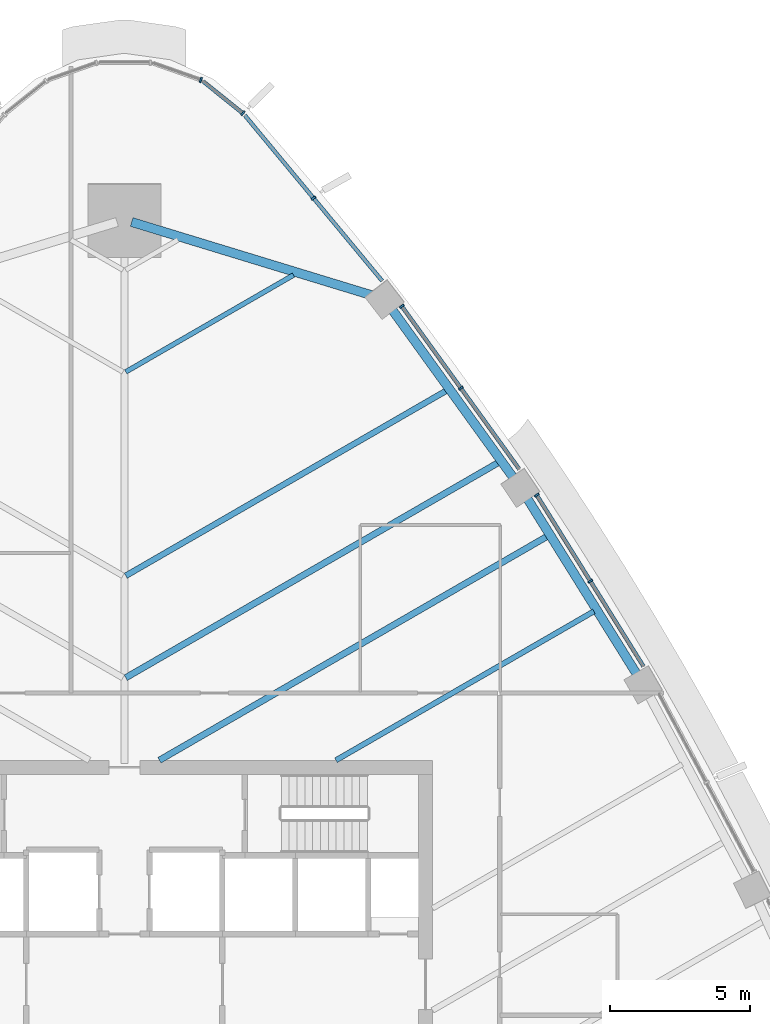
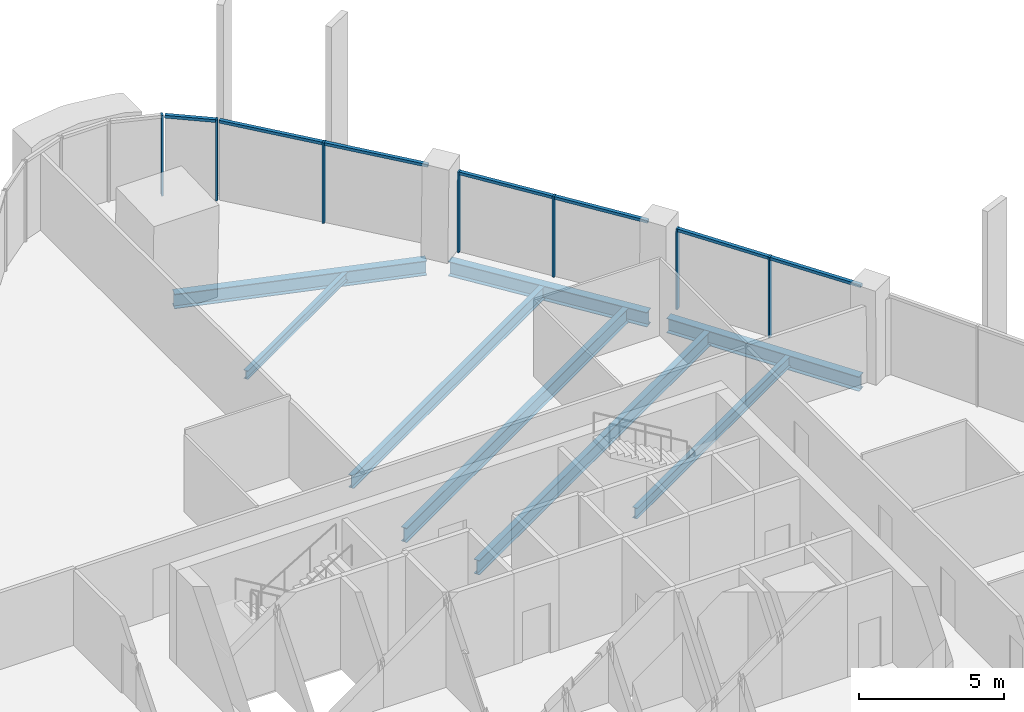
# One storey, part 7 of 19: 14 members, 8 beams, 5 elements without a shape of their own.
"""IFC4 building model written with IfcOpenShell, lengths in metres."""

from ifc_helpers import new_model, si_unit, direction, frame, origin, origin_2d, place, context, subcontext, project, spatial, rectangle, i_section, extrude, material, layer, layer_set, material_profile, profile_set, type_object, element, aggregate, save


model = new_model("IFC4")

# Units and contexts
model_context = context("Model", 3, precision=1e-05, world=origin(), true_north=direction((0.0, 1.0)))
body_context = subcontext(model_context, "Body", "Model", "MODEL_VIEW")
ifc_project = project(units=[si_unit("LENGTHUNIT", "METRE"), si_unit("AREAUNIT", "SQUARE_METRE"), si_unit("VOLUMEUNIT", "CUBIC_METRE"), si_unit("PLANEANGLEUNIT", "RADIAN"), si_unit("MASSUNIT", "GRAM", prefix="KILO")], contexts=[model_context])

# Site, building, storey
site_placement = place(None, origin())
site = spatial("IfcSite", under=ifc_project, at=site_placement, CompositionType="ELEMENT")
building_placement = place(site_placement, origin())
building = spatial("IfcBuilding", under=site, at=building_placement, Name="Sierra Prisma Convention Tower", CompositionType="ELEMENT")
storey_placement = place(building_placement, frame((0.0, 0.0, 177.800048828125)))
storey = spatial("IfcBuildingStorey", under=building, at=storey_placement, Name="L39", CompositionType="ELEMENT", Elevation=177.800048828125)

# Curtain wall, members
ifc_material_1 = material(Name="Aluminium and glass curtain wall", Category="aluminium")
ifc_layer = layer(ifc_material_1, 0.179931640625)
ifc_layer_set = layer_set([ifc_layer], Name="CW-1 Plain shaft curtain wall")
curtain_wall_type = type_object("IfcCurtainWallType", Name="CW-1 Plain shaft curtain wall", PredefinedType="NOTDEFINED", material=ifc_layer_set)
curtain_wall_1_placement = place(storey_placement, origin())
curtain_wall_1 = element("IfcCurtainWall", 1, at=curtain_wall_1_placement, inside=storey, type_object=curtain_wall_type, Name="CW-1 NE4 L39", PredefinedType="NOTDEFINED")
ifc_material_2 = material(Name="Aluminium 6063-T6 bronze anodised", Category="aluminium")
ifc_material_profile_1 = material_profile(ifc_material_2, rectangle(XDim=0.179931640625, YDim=0.070068359375, at=origin_2d()), Name="ALU MULLION 70x180")
ifc_profile_set_1 = profile_set([ifc_material_profile_1], Name="Aluminium 6063-T6 bronze anodised")
member_type_1 = type_object("IfcMemberType", Name="CW mullion bronze", PredefinedType="MULLION", material=ifc_profile_set_1)
member_1_placement = place(storey_placement, frame((16.632568359375, 14.39404296875, 0.0), z_axis=(0.0, 0.0, 1.0), x_axis=(-0.84864864254, -0.528956975108, 0.0)))
member_1 = element("IfcMember", 2, at=member_1_placement, type_object=member_type_1, Name="CW-1 mullion NE4.2", PredefinedType="MULLION", context=body_context, shape_type="SweptSolid", body=[
    extrude(rectangle(XDim=0.179931640625, YDim=0.070068359375, at=origin_2d()), origin(), (0.0, 0.0, 1.0), 3.39990234375),
])
member_2_placement = place(storey_placement, frame((14.719482421875, 17.463134765625, 0.0), z_axis=(0.0, 0.0, 1.0), x_axis=(-0.84864864254, -0.528956975108, 0.0)))
member_2 = element("IfcMember", 3, at=member_2_placement, type_object=member_type_1, Name="CW-1 mullion NE4.3", PredefinedType="MULLION", context=body_context, shape_type="SweptSolid", body=[
    extrude(rectangle(XDim=0.179931640625, YDim=0.070068359375, at=origin_2d()), origin(), (0.0, 0.0, 1.0), 3.39990234375),
])

curtain_wall_2_placement = place(storey_placement, origin())
curtain_wall_2 = element("IfcCurtainWall", 4, at=curtain_wall_2_placement, inside=storey, type_object=curtain_wall_type, Name="CW-1 NE5 L39", PredefinedType="NOTDEFINED")
member_3_placement = place(storey_placement, frame((12.01025390625, 21.2822265625, 0.0), z_axis=(0.0, 0.0, 1.0), x_axis=(-0.811012496314, -0.585028829053, 0.0)))
member_3 = element("IfcMember", 5, at=member_3_placement, type_object=member_type_1, Name="CW-1 mullion NE5.2", PredefinedType="MULLION", context=body_context, shape_type="SweptSolid", body=[
    extrude(rectangle(XDim=0.179931640625, YDim=0.070068359375, at=origin_2d()), origin(), (0.0, 0.0, 1.0), 3.39990234375),
])
member_4_placement = place(storey_placement, frame((9.9033203125, 24.203125, 0.0), z_axis=(0.0, 0.0, 1.0), x_axis=(-0.811012496314, -0.585028829053, 0.0)))
member_4 = element("IfcMember", 6, at=member_4_placement, type_object=member_type_1, Name="CW-1 mullion NE5.3", PredefinedType="MULLION", context=body_context, shape_type="SweptSolid", body=[
    extrude(rectangle(XDim=0.179931640625, YDim=0.070068359375, at=origin_2d()), origin(), (0.0, 0.0, 1.0), 3.39990234375),
])

# Curtain wall, member
curtain_wall_3_placement = place(storey_placement, origin())
curtain_wall_3 = element("IfcCurtainWall", 7, at=curtain_wall_3_placement, inside=storey, type_object=curtain_wall_type, Name="CW-1 NE6 L39", PredefinedType="NOTDEFINED")
member_5_placement = place(storey_placement, frame((6.751220703125, 28.064208984375, 0.0), z_axis=(0.0, 0.0, 1.0), x_axis=(-0.769677701385, -0.638432640136, 0.0)))
member_5 = element("IfcMember", 8, at=member_5_placement, type_object=member_type_1, Name="CW-1 mullion NE6.2", PredefinedType="MULLION", context=body_context, shape_type="SweptSolid", body=[
    extrude(rectangle(XDim=0.179931640625, YDim=0.070068359375, at=origin_2d()), origin(), (0.0, 0.0, 1.0), 3.39990234375),
])

curtain_wall_4_placement = place(storey_placement, origin())
curtain_wall_4 = element("IfcCurtainWall", 9, at=curtain_wall_4_placement, inside=storey, type_object=curtain_wall_type, Name="CW-1 N1 L39", PredefinedType="NOTDEFINED")
member_6_placement = place(storey_placement, frame((4.229248046875, 31.09375, 0.0), z_axis=(0.0, 0.0, 1.0), x_axis=(-0.625405514252, -0.780299905641, 0.0)))
member_6 = element("IfcMember", 10, at=member_6_placement, type_object=member_type_1, Name="CW-1 mullion N1.1", PredefinedType="MULLION", context=body_context, shape_type="SweptSolid", body=[
    extrude(rectangle(XDim=0.179931640625, YDim=0.070068359375, at=origin_2d()), origin(), (0.0, 0.0, 1.0), 3.39990234375),
])

curtain_wall_5_placement = place(storey_placement, origin())
curtain_wall_5 = element("IfcCurtainWall", 11, at=curtain_wall_5_placement, inside=storey, type_object=curtain_wall_type, Name="CW-1 N2 L39", PredefinedType="NOTDEFINED")
member_7_placement = place(storey_placement, frame((2.72998046875, 32.280517578125, 0.0), z_axis=(0.0, 0.0, 1.0), x_axis=(-0.331436339558, -0.943477584694, 0.0)))
member_7 = element("IfcMember", 12, at=member_7_placement, type_object=member_type_1, Name="CW-1 mullion N2.1", PredefinedType="MULLION", context=body_context, shape_type="SweptSolid", body=[
    extrude(rectangle(XDim=0.179931640625, YDim=0.070068359375, at=origin_2d()), origin(), (0.0, 0.0, 1.0), 3.39990234375),
])
aggregate(curtain_wall_5, [member_7])

# Member
ifc_material_3 = material(Name="Aluminium 6063-T6 bronze anodised", Category="aluminium")
ifc_material_profile_2 = material_profile(ifc_material_3, rectangle(XDim=0.139892578125, YDim=0.1201171875, at=origin_2d()), Name="ALU TRANSOM 120x140")
ifc_profile_set_2 = profile_set([ifc_material_profile_2], Name="Aluminium 6063-T6 bronze anodised")
member_type_2 = type_object("IfcMemberType", Name="CW transom bronze", PredefinedType="USERDEFINED", material=ifc_profile_set_2)
member_8_placement = place(storey_placement, frame((18.527099609375, 11.3544921875, 3.33984375), z_axis=(-0.528958995283, 0.848647383375, 0.0), x_axis=(-0.848647383375, -0.528958995283, 0.0)))
member_8 = element("IfcMember", 13, at=member_8_placement, type_object=member_type_2, Name="CW-1 transom NE4.1", ObjectType="TRANSOM", PredefinedType="USERDEFINED", context=body_context, shape_type="SweptSolid", body=[
    extrude(rectangle(XDim=0.139892578125, YDim=0.1201171875, at=origin_2d()), origin(), (0.0, 0.0, 1.0), 3.546630859375),
])

member_9_placement = place(storey_placement, frame((16.614013671875, 14.423583984375, 3.33984375), z_axis=(-0.528928094927, 0.84866664268, 0.0), x_axis=(-0.84866664268, -0.528928094927, 0.0)))
member_9 = element("IfcMember", 14, at=member_9_placement, type_object=member_type_2, Name="CW-1 transom NE4.2", ObjectType="TRANSOM", PredefinedType="USERDEFINED", context=body_context, shape_type="SweptSolid", body=[
    extrude(rectangle(XDim=0.139892578125, YDim=0.1201171875, at=origin_2d()), origin(), (0.0, 0.0, 1.0), 3.546630859375),
])

aggregate(curtain_wall_1, [member_1, member_2, member_8, member_9])

member_10_placement = place(storey_placement, frame((14.0966796875, 18.389892578125, 3.33984375), z_axis=(-0.585018430989, 0.811019996919, 0.0), x_axis=(-0.811019996919, -0.585018430989, 0.0)))
member_10 = element("IfcMember", 15, at=member_10_placement, type_object=member_type_2, Name="CW-1 transom NE5.1", ObjectType="TRANSOM", PredefinedType="USERDEFINED", context=body_context, shape_type="SweptSolid", body=[
    extrude(rectangle(XDim=0.139892578125, YDim=0.1201171875, at=origin_2d()), origin(), (0.0, 0.0, 1.0), 3.531494140625),
])

member_11_placement = place(storey_placement, frame((11.98974609375, 21.310546875, 3.33984375), z_axis=(-0.585018430989, 0.811019996919, 0.0), x_axis=(-0.811019996919, -0.585018430989, 0.0)))
member_11 = element("IfcMember", 16, at=member_11_placement, type_object=member_type_2, Name="CW-1 transom NE5.2", ObjectType="TRANSOM", PredefinedType="USERDEFINED", context=body_context, shape_type="SweptSolid", body=[
    extrude(rectangle(XDim=0.139892578125, YDim=0.1201171875, at=origin_2d()), origin(), (0.0, 0.0, 1.0), 3.531494140625),
])

aggregate(curtain_wall_2, [member_3, member_4, member_10, member_11])

member_12_placement = place(storey_placement, frame((9.201416015625, 25.1103515625, 3.33984375), z_axis=(-0.638439784311, 0.769671775375, 0.0), x_axis=(-0.769671775375, -0.638439784311, 0.0)))
member_12 = element("IfcMember", 17, at=member_12_placement, type_object=member_type_2, Name="CW-1 transom NE6.1", ObjectType="TRANSOM", PredefinedType="USERDEFINED", context=body_context, shape_type="SweptSolid", body=[
    extrude(rectangle(XDim=0.139892578125, YDim=0.1201171875, at=origin_2d()), origin(), (0.0, 0.0, 1.0), 3.802490234375),
])

member_13_placement = place(storey_placement, frame((6.72900390625, 28.091064453125, 3.33984375), z_axis=(-0.638477815793, 0.76964022682, 0.0), x_axis=(-0.76964022682, -0.638477815793, 0.0)))
member_13 = element("IfcMember", 18, at=member_13_placement, type_object=member_type_2, Name="CW-1 transom NE6.2", ObjectType="TRANSOM", PredefinedType="USERDEFINED", context=body_context, shape_type="SweptSolid", body=[
    extrude(rectangle(XDim=0.139892578125, YDim=0.1201171875, at=origin_2d()), origin(), (0.0, 0.0, 1.0), 3.802734375),
])

aggregate(curtain_wall_3, [member_5, member_12, member_13])

member_14_placement = place(storey_placement, frame((4.201904296875, 31.115478515625, 3.33984375), z_axis=(-0.780264290728, 0.62544994733, 0.0), x_axis=(-0.62544994733, -0.780264290728, 0.0)))
member_14 = element("IfcMember", 19, at=member_14_placement, type_object=member_type_2, Name="CW-1 transom N1.1", ObjectType="TRANSOM", PredefinedType="USERDEFINED", context=body_context, shape_type="SweptSolid", body=[
    extrude(rectangle(XDim=0.139892578125, YDim=0.1201171875, at=origin_2d()), origin(), (0.0, 0.0, 1.0), 1.774169921875),
])

aggregate(curtain_wall_4, [member_6, member_14])

# Beams
ifc_material_4 = material(Name="Steel ASTM A992 Gr 50", Category="steel")
ifc_material_profile_3 = material_profile(ifc_material_4, i_section(OverallWidth=0.172119140625, OverallDepth=0.35791015625, WebThickness=0.0078125, FlangeThickness=0.01318359375, at=origin_2d()), Name="W360x57")
ifc_profile_set_3 = profile_set([ifc_material_profile_3], Name="Steel ASTM A992 Gr 50")
beam_type_1 = type_object("IfcBeamType", Name="Floor joist W360x57", PredefinedType="JOIST", material=ifc_profile_set_3)
beam_1_placement = place(storey_placement, frame((6.0361328125, 25.318115234375, -0.3291015625), z_axis=(-0.866030286288, -0.49999154316, 0.0), x_axis=(0.49999154316, -0.866030286288, 0.0)))
element("IfcBeam", 20, at=beam_1_placement, inside=storey, type_object=beam_type_1, Name="Floor joist L39 NE14", PredefinedType="JOIST", context=body_context, shape_type="SweptSolid", body=[
    extrude(i_section(OverallWidth=0.172119140625, OverallDepth=0.35791015625, WebThickness=0.0078125, FlangeThickness=0.01318359375, at=origin_2d()), origin(), (0.0, 0.0, 1.0), 6.9111328125),
])
ifc_material_5 = material(Name="Steel ASTM A992 Gr 50", Category="steel")
ifc_material_profile_4 = material_profile(ifc_material_5, i_section(OverallWidth=0.18994140625, OverallDepth=0.45703125, WebThickness=0.009033203125, FlangeThickness=0.014404296875, at=origin_2d()), Name="W460x74")
ifc_profile_set_4 = profile_set([ifc_material_profile_4], Name="Steel ASTM A992 Gr 50")
beam_type_2 = type_object("IfcBeamType", Name="Floor joist W460x74", PredefinedType="JOIST", material=ifc_profile_set_4)
beam_2_placement = place(storey_placement, frame((16.760009765625, 13.3154296875, -0.378662109375), z_axis=(-0.86601845549, -0.500012034605, 0.0), x_axis=(0.500012034605, -0.86601845549, 0.0)))
element("IfcBeam", 21, at=beam_2_placement, inside=storey, type_object=beam_type_2, Name="Floor joist L39 NE09", PredefinedType="JOIST", context=body_context, shape_type="SweptSolid", body=[
    extrude(i_section(OverallWidth=0.18994140625, OverallDepth=0.45703125, WebThickness=0.009033203125, FlangeThickness=0.014404296875, at=origin_2d()), origin(), (0.0, 0.0, 1.0), 10.630615234375),
])
ifc_material_6 = material(Name="Steel ASTM A992 Gr 50", Category="steel")
ifc_material_profile_5 = material_profile(ifc_material_6, i_section(OverallWidth=0.208984375, OverallDepth=0.532958984375, WebThickness=0.01025390625, FlangeThickness=0.015625, at=origin_2d()), Name="W530x92")
ifc_profile_set_5 = profile_set([ifc_material_profile_5], Name="Steel ASTM A992 Gr 50")
beam_type_3 = type_object("IfcBeamType", Name="Floor joist W530x92", PredefinedType="JOIST", material=ifc_profile_set_5)
beam_3_placement = place(storey_placement, frame((11.501953125, 21.196044921875, -0.41650390625), z_axis=(-0.86602569981, -0.499999487269, 0.0), x_axis=(0.499999487269, -0.86602569981, 0.0)))
element("IfcBeam", 22, at=beam_3_placement, inside=storey, type_object=beam_type_3, Name="Floor joist L39 NE12", PredefinedType="JOIST", context=body_context, shape_type="SweptSolid", body=[
    extrude(i_section(OverallWidth=0.208984375, OverallDepth=0.532958984375, WebThickness=0.01025390625, FlangeThickness=0.015625, at=origin_2d()), origin(), (0.0, 0.0, 1.0), 13.22265625),
])
ifc_material_7 = material(Name="Steel ASTM A992 Gr 50", Category="steel")
ifc_material_profile_6 = material_profile(ifc_material_7, i_section(OverallWidth=0.22802734375, OverallDepth=0.60302734375, WebThickness=0.010498046875, FlangeThickness=0.014892578125, at=origin_2d()), Name="W610x101")
ifc_profile_set_6 = profile_set([ifc_material_profile_6], Name="Steel ASTM A992 Gr 50")
beam_type_4 = type_object("IfcBeamType", Name="Floor joist W610x101", PredefinedType="JOIST", material=ifc_profile_set_6)
beam_4_placement = place(storey_placement, frame((15.09228515625, 15.9912109375, -0.45166015625), z_axis=(-0.866027362729, -0.499996606993, 0.0), x_axis=(0.499996606993, -0.866027362729, 0.0)))
element("IfcBeam", 23, at=beam_4_placement, inside=storey, type_object=beam_type_4, Name="Floor joist L39 NE10", PredefinedType="JOIST", context=body_context, shape_type="SweptSolid", body=[
    extrude(i_section(OverallWidth=0.22802734375, OverallDepth=0.60302734375, WebThickness=0.010498046875, FlangeThickness=0.014892578125, at=origin_2d()), origin(), (0.0, 0.0, 1.0), 15.982421875),
])
beam_5_placement = place(storey_placement, frame((13.355224609375, 18.627197265625, -0.45166015625), z_axis=(-0.866023359463, -0.500003540853, 0.0), x_axis=(0.500003540853, -0.866023359463, 0.0)))
element("IfcBeam", 24, at=beam_5_placement, inside=storey, type_object=beam_type_4, Name="Floor joist L39 NE11", PredefinedType="JOIST", context=body_context, shape_type="SweptSolid", body=[
    extrude(i_section(OverallWidth=0.22802734375, OverallDepth=0.60302734375, WebThickness=0.010498046875, FlangeThickness=0.014892578125, at=origin_2d()), origin(), (0.0, 0.0, 1.0), 15.36279296875),
])
ifc_material_8 = material(Name="Steel ASTM A992 Gr 50", Category="steel")
ifc_material_profile_7 = material_profile(ifc_material_8, i_section(OverallWidth=0.324951171875, OverallDepth=0.615966796875, WebThickness=0.013916015625, FlangeThickness=0.021484375, at=origin_2d()), Name="W610x174")
ifc_profile_set_7 = profile_set([ifc_material_profile_7], Name="Steel ASTM A992 Gr 50")
beam_type_5 = type_object("IfcBeamType", Name="Spandrel beam W610x174", PredefinedType="BEAM", material=ifc_profile_set_7)
beam_6_placement = place(storey_placement, frame((18.324462890625, 11.018310546875, -0.4580078125), z_axis=(-0.528961237462, 0.848645985829, 0.0), x_axis=(-0.848645985829, -0.528961237462, 0.0)))
element("IfcBeam", 25, at=beam_6_placement, inside=storey, type_object=beam_type_5, Name="Spandrel L39-10", PredefinedType="BEAM", context=body_context, shape_type="SweptSolid", body=[
    extrude(i_section(OverallWidth=0.324951171875, OverallDepth=0.615966796875, WebThickness=0.013916015625, FlangeThickness=0.021484375, at=origin_2d()), origin(), (0.0, 0.0, 1.0), 7.531494140625),
])
beam_7_placement = place(storey_placement, frame((13.9169921875, 18.041015625, -0.4580078125), z_axis=(-0.58503122875, 0.811010765272, 0.0), x_axis=(-0.811010765272, -0.58503122875, 0.0)))
element("IfcBeam", 26, at=beam_7_placement, inside=storey, type_object=beam_type_5, Name="Spandrel L39-11", PredefinedType="BEAM", context=body_context, shape_type="SweptSolid", body=[
    extrude(i_section(OverallWidth=0.324951171875, OverallDepth=0.615966796875, WebThickness=0.013916015625, FlangeThickness=0.021484375, at=origin_2d()), origin(), (0.0, 0.0, 1.0), 7.53125),
])
beam_8_placement = place(storey_placement, frame((8.8173828125, 24.60107421875, -0.4580078125), z_axis=(-0.956466098734, 0.291843454565, 0.0), x_axis=(-0.291843454565, -0.956466098734, 0.0)))
element("IfcBeam", 27, at=beam_8_placement, inside=storey, type_object=beam_type_5, Name="Spandrel L39-12", PredefinedType="BEAM", context=body_context, shape_type="SweptSolid", body=[
    extrude(i_section(OverallWidth=0.324951171875, OverallDepth=0.615966796875, WebThickness=0.013916015625, FlangeThickness=0.021484375, at=origin_2d()), origin(), (0.0, 0.0, 1.0), 8.94677734375),
])

save(model, "model.ifc")
